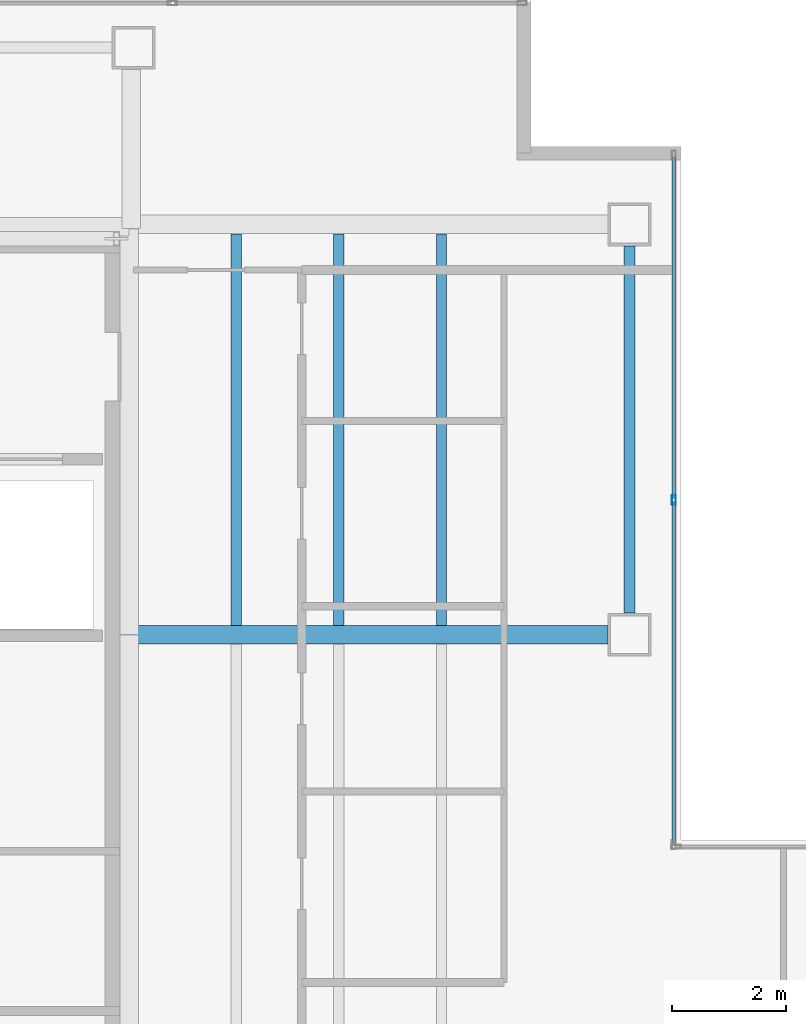
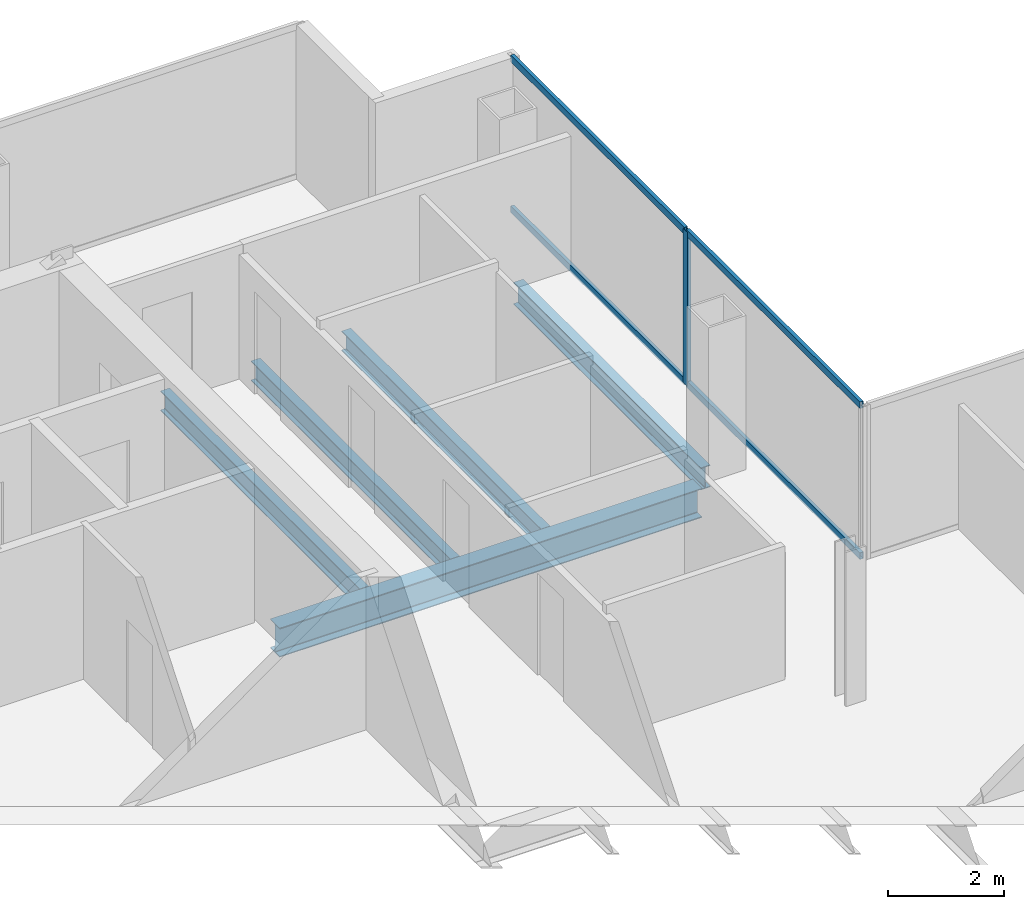
# One storey, part 9 of 23: 5 beams, 5 members, 1 element without a shape of its own.
"""IFC4 building model written with IfcOpenShell, lengths in metres."""

from ifc_helpers import new_model, si_unit, direction, frame, origin, origin_2d, place, context, subcontext, project, spatial, hollow_rectangle, i_section, extrude, material, material_profile, profile_set, type_object, element, aggregate, save


model = new_model("IFC4")

# Units and contexts
model_context = context("Model", 3, precision=1e-05, world=origin(), true_north=direction((0.0, 1.0)))
body_context = subcontext(model_context, "Body", "Model", "MODEL_VIEW")
ifc_project = project(units=[si_unit("LENGTHUNIT", "METRE"), si_unit("AREAUNIT", "SQUARE_METRE"), si_unit("VOLUMEUNIT", "CUBIC_METRE"), si_unit("PLANEANGLEUNIT", "RADIAN"), si_unit("MASSUNIT", "GRAM", prefix="KILO")], contexts=[model_context])

# Site, building, storey
site_placement = place(None, origin())
site = spatial("IfcSite", under=ifc_project, at=site_placement, CompositionType="ELEMENT")
building_placement = place(site_placement, origin())
building = spatial("IfcBuilding", under=site, at=building_placement, Name="Cobrela Telecom Tower", CompositionType="ELEMENT")
storey_placement = place(building_placement, frame((0.0, 0.0, 215.25)))
storey = spatial("IfcBuildingStorey", under=building, at=storey_placement, Name="L55", CompositionType="ELEMENT", Elevation=215.25)

# Beams
ifc_material_1 = material(Name="Steel ASTM A992 Grade 50", Category="steel")
ifc_material_profile_1 = material_profile(ifc_material_1, i_section(OverallWidth=0.324951171875, OverallDepth=0.612060546875, WebThickness=0.0126953125, FlangeThickness=0.01904296875, FilletRadius=0.014892578125, at=origin_2d()), Name="W24X104")
ifc_profile_set_1 = profile_set([ifc_material_profile_1], Name="Steel ASTM A992 Grade 50")
beam_type_1 = type_object("IfcBeamType", Name="BM-GIRD-07", PredefinedType="USERDEFINED", material=ifc_profile_set_1)
beam_1_placement = place(storey_placement, frame((14.324951171875, 28.800048828125, -0.56591796875), z_axis=(1.0, 0.0, 0.0), x_axis=(0.0, 1.0, 0.0)))
element("IfcBeam", 1, at=beam_1_placement, inside=storey, type_object=beam_type_1, Name="L55 Primary Girder X19", ObjectType="GIRDER", PredefinedType="USERDEFINED", context=body_context, shape_type="SweptSolid", body=[
    extrude(i_section(OverallWidth=0.324951171875, OverallDepth=0.612060546875, WebThickness=0.0126953125, FlangeThickness=0.01904296875, FilletRadius=0.014892578125, at=origin_2d()), origin(), (0.0, 0.0, 1.0), 8.39501953125),
])
ifc_material_profile_2 = material_profile(ifc_material_1, i_section(OverallWidth=0.179931640625, OverallDepth=0.4169921875, WebThickness=0.010986328125, FlangeThickness=0.01806640625, FilletRadius=0.011962890625, at=origin_2d()), Name="W16X57")
ifc_profile_set_2 = profile_set([ifc_material_profile_2], Name="Steel ASTM A992 Grade 50")
beam_type_2 = type_object("IfcBeamType", Name="BM-JOIST-04", PredefinedType="JOIST", material=ifc_profile_set_2)
for number, where, z_axis, x_axis, name in (
    (2, (16.199951171875, 28.967529296875, -0.468505859375), (0.0, 1.0, 0.0), (-1.0, 0.0, 0.0), "L55 Secondary Composite Floor Beam J04"),
    (3, (18.0, 28.967529296875, -0.468505859375), (0.0, 1.0, 0.0), (-1.0, 0.0, 0.0), "L55 Secondary Composite Floor Beam J08"),
    (4, (19.800048828125, 28.967529296875, -0.468505859375), (0.0, 1.0, 0.0), (-1.0, 0.0, 0.0), "L55 Secondary Composite Floor Beam J12"),
):
    element("IfcBeam", number, at=place(storey_placement, frame(where, z_axis=z_axis, x_axis=x_axis)), inside=storey, type_object=beam_type_2, Name=name, PredefinedType="JOIST", context=body_context, shape_type="SweptSolid", body=[
        extrude(i_section(OverallWidth=0.179931640625, OverallDepth=0.4169921875, WebThickness=0.010986328125, FlangeThickness=0.01806640625, FilletRadius=0.011962890625, at=origin_2d()), origin(), (0.0, 0.0, 1.0), 6.864990234375),
    ])
ifc_material_profile_3 = material_profile(ifc_material_1, i_section(OverallWidth=0.193115234375, OverallDepth=0.467041015625, WebThickness=0.011474609375, FlangeThickness=0.01904296875, FilletRadius=0.012939453125, at=origin_2d()), Name="W18X65")
ifc_profile_set_3 = profile_set([ifc_material_profile_3], Name="Steel ASTM A992 Grade 50")
beam_type_3 = type_object("IfcBeamType", Name="BM-SPAND-05", PredefinedType="SPANDREL", material=ifc_profile_set_3)
beam_2_placement = place(storey_placement, frame((23.10009765625, 29.179931640625, -0.493408203125), z_axis=(0.0, 1.0, 0.0), x_axis=(-1.0, 0.0, 0.0)))
element("IfcBeam", 5, at=beam_2_placement, inside=storey, type_object=beam_type_3, Name="L55 Perimeter Spandrel Y35", PredefinedType="SPANDREL", context=body_context, shape_type="SweptSolid", body=[
    extrude(i_section(OverallWidth=0.193115234375, OverallDepth=0.467041015625, WebThickness=0.011474609375, FlangeThickness=0.01904296875, FilletRadius=0.012939453125, at=origin_2d()), origin(), (0.0, 0.0, 1.0), 6.440185546875),
])

# Curtain wall, members
ifc_material_2 = material(Name="Anodized Bronze Aluminium 6063-T6", Category="aluminium")
curtain_wall_type = type_object("IfcCurtainWallType", Name="CW-SYS-OFF-LO", PredefinedType="USERDEFINED", material=ifc_material_2)
curtain_wall_placement = place(storey_placement, origin())
curtain_wall = element("IfcCurtainWall", 6, at=curtain_wall_placement, inside=storey, type_object=curtain_wall_type, Name="L55 Unitised Bronze Curtain Wall 10", ObjectType="UNITISED CURTAIN WALL", PredefinedType="USERDEFINED")
ifc_material_profile_4 = material_profile(ifc_material_2, hollow_rectangle(XDim=0.070068359375, YDim=0.159912109375, WallThickness=0.00390625, at=origin_2d()), Name="ALU 70x160x4")
ifc_profile_set_4 = profile_set([ifc_material_profile_4], Name="Anodized Bronze Aluminium 6063-T6")
member_type_1 = type_object("IfcMemberType", Name="CW-SYS-OFF-LO-MUL", PredefinedType="MULLION", material=ifc_profile_set_4)
member_1_placement = place(storey_placement, frame((23.8798828125, 31.1650390625, 0.0), z_axis=(0.0, 0.0, 1.0), x_axis=(1.0, 0.0, 0.0)))
member_1 = element("IfcMember", 7, at=member_1_placement, type_object=member_type_1, Name="CW-OFF-LO mullion 2", PredefinedType="MULLION", context=body_context, shape_type="SweptSolid", body=[
    extrude(hollow_rectangle(XDim=0.070068359375, YDim=0.159912109375, WallThickness=0.00390625, at=origin_2d()), origin(), (0.0, 0.0, 1.0), 3.239990234375),
])
ifc_material_profile_5 = material_profile(ifc_material_2, hollow_rectangle(XDim=0.070068359375, YDim=0.139892578125, WallThickness=0.00390625, at=origin_2d()), Name="ALU 70x140x4")
ifc_profile_set_5 = profile_set([ifc_material_profile_5], Name="Anodized Bronze Aluminium 6063-T6")
member_type_2 = type_object("IfcMemberType", Name="CW-SYS-OFF-LO-TRN", PredefinedType="USERDEFINED", material=ifc_profile_set_5)
member_2_placement = place(storey_placement, frame((23.8798828125, 37.179931640625, 0.034912109375), z_axis=(0.0, -1.0, 0.0), x_axis=(1.0, 0.0, 0.0)))
member_2 = element("IfcMember", 8, at=member_2_placement, type_object=member_type_2, Name="CW-OFF-LO transom 1.1", ObjectType="TRANSOM", PredefinedType="USERDEFINED", context=body_context, shape_type="SweptSolid", body=[
    extrude(hollow_rectangle(XDim=0.070068359375, YDim=0.139892578125, WallThickness=0.00390625, at=origin_2d()), origin(), (0.0, 0.0, 1.0), 5.97998046875),
])
member_3_placement = place(storey_placement, frame((23.8798828125, 37.179931640625, 3.205078125), z_axis=(0.0, -1.0, 0.0), x_axis=(1.0, 0.0, 0.0)))
member_3 = element("IfcMember", 9, at=member_3_placement, type_object=member_type_2, Name="CW-OFF-LO transom 1.2", ObjectType="TRANSOM", PredefinedType="USERDEFINED", context=body_context, shape_type="SweptSolid", body=[
    extrude(hollow_rectangle(XDim=0.070068359375, YDim=0.139892578125, WallThickness=0.00390625, at=origin_2d()), origin(), (0.0, 0.0, 1.0), 5.97998046875),
])
member_4_placement = place(storey_placement, frame((23.8798828125, 31.1298828125, 0.034912109375), z_axis=(0.0, -1.0, 0.0), x_axis=(1.0, 0.0, 0.0)))
member_4 = element("IfcMember", 10, at=member_4_placement, type_object=member_type_2, Name="CW-OFF-LO transom 2.1", ObjectType="TRANSOM", PredefinedType="USERDEFINED", context=body_context, shape_type="SweptSolid", body=[
    extrude(hollow_rectangle(XDim=0.070068359375, YDim=0.139892578125, WallThickness=0.00390625, at=origin_2d()), origin(), (0.0, 0.0, 1.0), 5.97998046875),
])
member_5_placement = place(storey_placement, frame((23.8798828125, 31.1298828125, 3.205078125), z_axis=(0.0, -1.0, 0.0), x_axis=(1.0, 0.0, 0.0)))
member_5 = element("IfcMember", 11, at=member_5_placement, type_object=member_type_2, Name="CW-OFF-LO transom 2.2", ObjectType="TRANSOM", PredefinedType="USERDEFINED", context=body_context, shape_type="SweptSolid", body=[
    extrude(hollow_rectangle(XDim=0.070068359375, YDim=0.139892578125, WallThickness=0.00390625, at=origin_2d()), origin(), (0.0, 0.0, 1.0), 5.97998046875),
])
aggregate(curtain_wall, [member_1, member_2, member_3, member_4, member_5])

save(model, "model.ifc")
